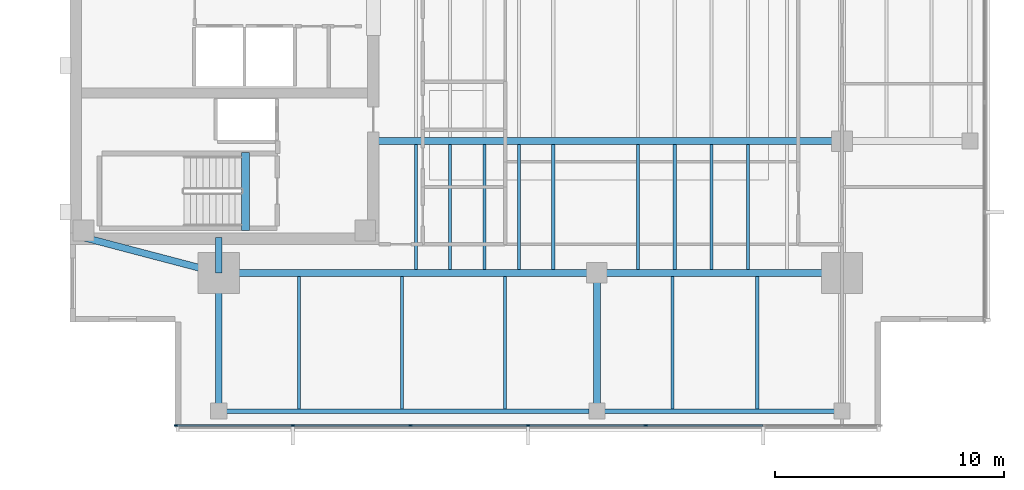
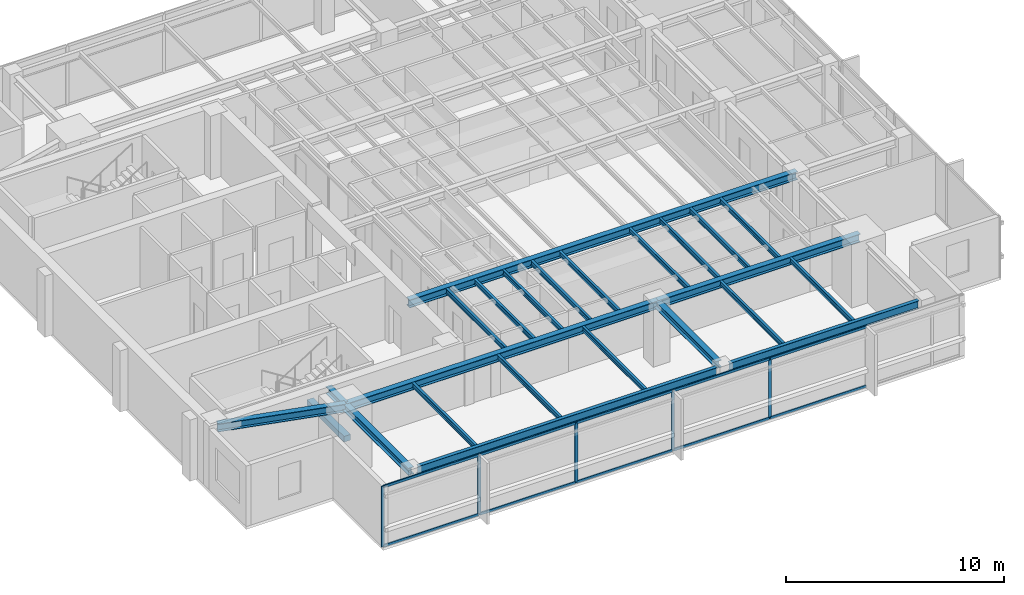
# One storey, part 2 of 13: 24 beams, 15 members, 1 element without a shape of its own.
"""IFC4 building model written with IfcOpenShell, lengths in metres."""

import ifcopenshell
import ifcopenshell.guid

model = None  # the IFC model being written
_history = None  # IfcOwnerHistory: only IFC2X3 demands one
_inside = {}  # id of a spatial element -> (the spatial element, [elements in it])
_under = {}  # id of a project, library or spatial element -> (it, [spatial elements below it])
_declared = {}  # id of a project -> (the project, [libraries it declares])
_typed = {}  # id of a type object -> (the type object, [elements of that type])
_made_of = {}  # id of a material, layer set ... -> (it, [elements and type objects made of it])


def new_model(schema):
    """Start an empty IFC model of exactly this schema.

    Asked for "IFC4X3", IfcOpenShell would pick the latest addendum, in which some entities
    have other attributes; the version numbers below select the first issue.
    IFC2X3 requires an IfcOwnerHistory on every rooted entity: one is made here for all.
    """
    global model, _history
    if schema == "IFC4X3":
        model = ifcopenshell.file(schema_version=(4, 3, 0, 0))
    else:
        model = ifcopenshell.file(schema=schema)
    _inside.clear()
    _under.clear()
    _declared.clear()
    _typed.clear()
    _made_of.clear()
    _history = None
    if model.schema == "IFC2X3":
        org = make("IfcOrganization", Name="unknown")
        user = make(
            "IfcPersonAndOrganization",
            ThePerson=make("IfcPerson", FamilyName="unknown"),
            TheOrganization=org,
        )
        app = make(
            "IfcApplication",
            ApplicationDeveloper=org,
            Version="unknown",
            ApplicationFullName="unknown",
            ApplicationIdentifier="unknown",
        )
        _history = make(
            "IfcOwnerHistory",
            OwningUser=user,
            OwningApplication=app,
            ChangeAction="ADDED",
            CreationDate=0,
        )
    return model


def make(cls, **values):
    """One entity of the class cls with the attributes given. An attribute that is None is left unset."""
    return model.create_entity(
        cls, **{name: value for name, value in values.items() if value is not None}
    )


def rooted(cls, **values):
    """An entity with a GlobalId (a new one), such as an element, a storey or a relation."""
    return make(cls, GlobalId=ifcopenshell.guid.new(), OwnerHistory=_history, **values)


def si_unit(unit_type, name, prefix=None):
    """IfcSIUnit, for example si_unit("LENGTHUNIT", "METRE", prefix="MILLI")."""
    return make("IfcSIUnit", UnitType=unit_type, Prefix=prefix, Name=name)


def assignment(units):
    """IfcUnitAssignment: the units of a project."""
    return None if units is None else make("IfcUnitAssignment", Units=units)


def point(xyz):
    """IfcCartesianPoint."""
    return None if xyz is None else make("IfcCartesianPoint", Coordinates=xyz)


def direction(xyz):
    """IfcDirection."""
    return None if xyz is None else make("IfcDirection", DirectionRatios=xyz)


def frame(location, z_axis=None, x_axis=None):
    """IfcAxis2Placement3D, a coordinate frame: its origin and axes. An axis left out is left unset."""
    return make(
        "IfcAxis2Placement3D",
        Location=point(location),
        Axis=direction(z_axis),
        RefDirection=direction(x_axis),
    )


def frame_2d(location, x_axis=None):
    """IfcAxis2Placement2D, a coordinate frame in the plane: its origin and x axis."""
    return make(
        "IfcAxis2Placement2D", Location=point(location), RefDirection=direction(x_axis)
    )


def origin():
    """The frame at (0, 0, 0) with its axes left unset."""
    return frame((0.0, 0.0, 0.0))


def origin_2d():
    """The frame at (0, 0) in the plane with its x axis left unset."""
    return frame_2d((0.0, 0.0))


def place(relative_to, where):
    """IfcLocalPlacement: puts the frame where relative to a parent placement (None: the world)."""
    return make(
        "IfcLocalPlacement", PlacementRelTo=relative_to, RelativePlacement=where
    )


def context(
    kind, dimensions, precision=None, world=None, true_north=None, identifier=None
):
    """IfcGeometricRepresentationContext, for example the 3D "Model" context."""
    return make(
        "IfcGeometricRepresentationContext",
        ContextIdentifier=identifier,
        ContextType=kind,
        CoordinateSpaceDimension=dimensions,
        Precision=precision,
        WorldCoordinateSystem=world,
        TrueNorth=true_north,
    )


def subcontext(parent, identifier, kind, view, scale=None):
    """IfcGeometricRepresentationSubContext, for example "Body" below "Model"."""
    return make(
        "IfcGeometricRepresentationSubContext",
        ContextIdentifier=identifier,
        ContextType=kind,
        ParentContext=parent,
        TargetScale=scale,
        TargetView=view,
    )


def project(units=None, contexts=None):
    """IfcProject with its units and contexts."""
    return rooted(
        "IfcProject",
        Name="project",
        RepresentationContexts=contexts,
        UnitsInContext=assignment(units),
    )


def spatial(cls, under=None, at=None, **own):
    """A site, building, storey or space (cls), placed at a placement, below another one or the project."""
    s = rooted(cls, ObjectPlacement=at, **own)
    if under is not None:
        _under.setdefault(under.id(), (under, []))[1].append(s)
    return s


def profile(cls, at=None, kind="AREA", **sizes):
    """A parametric profile (cls). Its sizes go by their IFC names, for example OverallWidth=200.0."""
    return make(cls, ProfileType=kind, Position=at, **sizes)


def rectangle(**sizes):
    """IfcRectangleProfileDef."""
    return profile("IfcRectangleProfileDef", **sizes)


def i_section(**sizes):
    """IfcIShapeProfileDef."""
    return profile("IfcIShapeProfileDef", **sizes)


def extrude(swept, where, along, depth):
    """IfcExtrudedAreaSolid: the profile swept, set in the frame where, extruded along a direction by depth."""
    return make(
        "IfcExtrudedAreaSolid",
        SweptArea=swept,
        Position=where,
        ExtrudedDirection=direction(along),
        Depth=depth,
    )


def shape(context_of_items, identifier, shape_type, items):
    """IfcShapeRepresentation: the items that make up one representation, for example the "Body"."""
    return make(
        "IfcShapeRepresentation",
        ContextOfItems=context_of_items,
        RepresentationIdentifier=identifier,
        RepresentationType=shape_type,
        Items=items,
    )


def material(Name=None, Category=None):
    """IfcMaterial."""
    return make("IfcMaterial", Name=Name, Category=Category)


def layer(
    of_material, thickness, ventilated=None, Name=None, Category=None, Priority=None
):
    """IfcMaterialLayer: one layer of a wall or slab, of a material (None: an air gap)."""
    return make(
        "IfcMaterialLayer",
        Material=of_material,
        LayerThickness=thickness,
        IsVentilated=ventilated,
        Name=Name,
        Category=Category,
        Priority=Priority,
    )


def layer_set(layers, Name=None):
    """IfcMaterialLayerSet."""
    return make("IfcMaterialLayerSet", MaterialLayers=layers, LayerSetName=Name)


def material_profile(
    of_material, cross_section, Name=None, Category=None, Priority=None
):
    """IfcMaterialProfile: a cross section and its material."""
    return make(
        "IfcMaterialProfile",
        Name=Name,
        Material=of_material,
        Profile=cross_section,
        Priority=Priority,
        Category=Category,
    )


def profile_set(profiles, Name=None, composite=None):
    """IfcMaterialProfileSet."""
    return make(
        "IfcMaterialProfileSet",
        Name=Name,
        MaterialProfiles=profiles,
        CompositeProfile=composite,
    )


def made_of(thing, what):
    """Note that an element or type object is made of a material, layer set ...; save() writes the relation."""
    if what is not None:
        _made_of.setdefault(what.id(), (what, []))[1].append(thing)
    return thing


def type_object(cls, material=None, **own):
    """A type object (cls), such as IfcWallType, which elements share."""
    return made_of(rooted(cls, **own), material)


def element(
    cls,
    number,
    at=None,
    inside=None,
    cuts=None,
    type_object=None,
    material=None,
    context=None,
    identifier="Body",
    shape_type=None,
    held_by="IfcProductDefinitionShape",
    body=None,
    shapes=None,
    **own,
):
    """One element of the class cls, such as IfcWall. Its Tag is "e" and its number.

    at: its placement. inside: the storey or other place that contains it. cuts: it is an
    opening in that element (IfcRelVoidsElement). A single representation is given by context,
    identifier, shape_type and body (its items); several are given by shapes. held_by: the class
    of the entity that holds the representations. save() writes the other relations.
    """
    e = rooted(cls, Tag="e%d" % number, ObjectPlacement=at, **own)
    if body is not None:
        shapes = [shape(context, identifier, shape_type, body)]
    if shapes is not None:
        e.Representation = make(held_by, Representations=shapes)
    if inside is not None:
        _inside.setdefault(inside.id(), (inside, []))[1].append(e)
    if cuts is not None:
        rooted(
            "IfcRelVoidsElement", RelatingBuildingElement=cuts, RelatedOpeningElement=e
        )
    if type_object is not None:
        _typed.setdefault(type_object.id(), (type_object, []))[1].append(e)
    return made_of(e, material)


def aggregate(whole, parts):
    """IfcRelAggregates: a whole, such as a stair, and the parts it consists of."""
    return rooted("IfcRelAggregates", RelatingObject=whole, RelatedObjects=parts)


def save(model, path):
    """Write the relations noted so far, then the file.

    IfcRelAggregates (storeys below a building ...), IfcRelContainedInSpatialStructure (elements
    in a storey), IfcRelDefinesByType, IfcRelAssociatesMaterial and IfcRelDeclares: one each for
    every whole, place, type object, material and project.
    """
    for whole, parts in _under.values():
        aggregate(whole, parts)
    for where, things in _inside.values():
        rooted(
            "IfcRelContainedInSpatialStructure",
            RelatedElements=things,
            RelatingStructure=where,
        )
    for kind, things in _typed.values():
        rooted("IfcRelDefinesByType", RelatedObjects=things, RelatingType=kind)
    for what, things in _made_of.values():
        rooted("IfcRelAssociatesMaterial", RelatedObjects=things, RelatingMaterial=what)
    for by, libraries in _declared.values():
        rooted("IfcRelDeclares", RelatingContext=by, RelatedDefinitions=libraries)
    model.write(path)


model = new_model("IFC4")

# Units and contexts
model_context = context("Model", 3, precision=1e-05, world=origin(), true_north=direction((0.0, 1.0)))
body_context = subcontext(model_context, "Body", "Model", "MODEL_VIEW")
ifc_project = project(units=[si_unit("LENGTHUNIT", "METRE"), si_unit("AREAUNIT", "SQUARE_METRE"), si_unit("VOLUMEUNIT", "CUBIC_METRE"), si_unit("PLANEANGLEUNIT", "RADIAN"), si_unit("MASSUNIT", "GRAM", prefix="KILO")], contexts=[model_context])

# Site, building, storey
site_placement = place(None, origin())
site = spatial("IfcSite", under=ifc_project, at=site_placement, CompositionType="ELEMENT")
building_placement = place(site_placement, origin())
building = spatial("IfcBuilding", under=site, at=building_placement, Name="Kinhvarn Gate Tower", CompositionType="ELEMENT")
storey_placement = place(building_placement, frame((0.0, 0.0, 288.300048828125)))
storey = spatial("IfcBuildingStorey", under=building, at=storey_placement, Name="L77", CompositionType="ELEMENT", Elevation=288.300048828125)

# Beam
ifc_material_1 = material(Name="Concrete C50/60", Category="concrete")
ifc_material_profile_1 = material_profile(ifc_material_1, rectangle(XDim=0.340087890625, YDim=0.320068359375, at=origin_2d()), Name="RC 340x320")
ifc_profile_set_1 = profile_set([ifc_material_profile_1], Name="Concrete C50/60")
beam_type_1 = type_object("IfcBeamType", Name="BM-LND-500", PredefinedType="BEAM", material=ifc_profile_set_1)
beam_1_placement = place(storey_placement, frame((12.1650390625, 14.60009765625, -0.16015625), z_axis=(0.0, 1.0, 0.0), x_axis=(-1.0, 0.0, 0.0)))
element("IfcBeam", 1, at=beam_1_placement, inside=storey, type_object=beam_type_1, Name="Stair ST1 Landing Nosing Beam (L77)", PredefinedType="BEAM", context=body_context, shape_type="SweptSolid", body=[
    extrude(rectangle(XDim=0.340087890625, YDim=0.320068359375, at=origin_2d()), origin(), (0.0, 0.0, 1.0), 3.39990234375),
])

# Curtain wall, members
ifc_material_2 = material(Name="Anodised aluminium AW-6063", Category="aluminium")
ifc_layer = layer(ifc_material_2, 0.179931640625)
ifc_layer_set = layer_set([ifc_layer], Name="Anodised aluminium AW-6063")
curtain_wall_type = type_object("IfcCurtainWallType", Name="CW-SYS-3", PredefinedType="NOTDEFINED", material=ifc_layer_set)
curtain_wall_placement = place(storey_placement, origin())
curtain_wall = element("IfcCurtainWall", 2, at=curtain_wall_placement, inside=storey, type_object=curtain_wall_type, Name="Curtain Wall CW3 (L77)", PredefinedType="NOTDEFINED")
ifc_material_profile_2 = material_profile(ifc_material_2, rectangle(XDim=0.06494140625, YDim=0.159912109375, at=origin_2d()), Name="ALU 65x160")
ifc_profile_set_2 = profile_set([ifc_material_profile_2], Name="Anodised aluminium AW-6063")
member_type_1 = type_object("IfcMemberType", Name="CW-MUL-160", PredefinedType="MULLION", material=ifc_profile_set_2)
member_1_placement = place(storey_placement, frame((9.132568359375, 6.090087890625, 0.0), z_axis=(0.0, 0.0, 1.0), x_axis=(0.0, 1.0, 0.0)))
member_1 = element("IfcMember", 3, at=member_1_placement, type_object=member_type_1, Name="CW3 mullion 1", PredefinedType="MULLION", context=body_context, shape_type="SweptSolid", body=[
    extrude(rectangle(XDim=0.06494140625, YDim=0.159912109375, at=origin_2d()), origin(), (0.0, 0.0, 1.0), 3.389892578125),
])
member_2_placement = place(storey_placement, frame((14.2333984375, 6.090087890625, 0.0), z_axis=(0.0, 0.0, 1.0), x_axis=(0.0, 1.0, 0.0)))
member_2 = element("IfcMember", 4, at=member_2_placement, type_object=member_type_1, Name="CW3 mullion 2", PredefinedType="MULLION", context=body_context, shape_type="SweptSolid", body=[
    extrude(rectangle(XDim=0.06494140625, YDim=0.159912109375, at=origin_2d()), origin(), (0.0, 0.0, 1.0), 3.389892578125),
])
member_3_placement = place(storey_placement, frame((19.36669921875, 6.090087890625, 0.0), z_axis=(0.0, 0.0, 1.0), x_axis=(0.0, 1.0, 0.0)))
member_3 = element("IfcMember", 5, at=member_3_placement, type_object=member_type_1, Name="CW3 mullion 3", PredefinedType="MULLION", context=body_context, shape_type="SweptSolid", body=[
    extrude(rectangle(XDim=0.06494140625, YDim=0.159912109375, at=origin_2d()), origin(), (0.0, 0.0, 1.0), 3.389892578125),
])
member_4_placement = place(storey_placement, frame((24.5, 6.090087890625, 0.0), z_axis=(0.0, 0.0, 1.0), x_axis=(0.0, 1.0, 0.0)))
member_4 = element("IfcMember", 6, at=member_4_placement, type_object=member_type_1, Name="CW3 mullion 4", PredefinedType="MULLION", context=body_context, shape_type="SweptSolid", body=[
    extrude(rectangle(XDim=0.06494140625, YDim=0.159912109375, at=origin_2d()), origin(), (0.0, 0.0, 1.0), 3.389892578125),
])
member_5_placement = place(storey_placement, frame((29.63330078125, 6.090087890625, 0.0), z_axis=(0.0, 0.0, 1.0), x_axis=(0.0, 1.0, 0.0)))
member_5 = element("IfcMember", 7, at=member_5_placement, type_object=member_type_1, Name="CW3 mullion 5", PredefinedType="MULLION", context=body_context, shape_type="SweptSolid", body=[
    extrude(rectangle(XDim=0.06494140625, YDim=0.159912109375, at=origin_2d()), origin(), (0.0, 0.0, 1.0), 3.389892578125),
])
ifc_material_profile_3 = material_profile(ifc_material_2, rectangle(XDim=0.070068359375, YDim=0.139892578125, at=origin_2d()), Name="ALU 70x140")
ifc_profile_set_3 = profile_set([ifc_material_profile_3], Name="Anodised aluminium AW-6063")
member_type_2 = type_object("IfcMemberType", Name="CW-TRN-140", PredefinedType="USERDEFINED", material=ifc_profile_set_3)
member_6_placement = place(storey_placement, frame((9.1650390625, 6.090087890625, 0.034912109375), z_axis=(1.0, 0.0, 0.0), x_axis=(0.0, 1.0, 0.0)))
member_6 = element("IfcMember", 8, at=member_6_placement, type_object=member_type_2, Name="CW3 transom 1.1", ObjectType="TRANSOM", PredefinedType="USERDEFINED", context=body_context, shape_type="SweptSolid", body=[
    extrude(rectangle(XDim=0.070068359375, YDim=0.139892578125, at=origin_2d()), origin(), (0.0, 0.0, 1.0), 5.035888671875),
])
member_7_placement = place(storey_placement, frame((9.1650390625, 6.090087890625, 3.35498046875), z_axis=(1.0, 0.0, 0.0), x_axis=(0.0, 1.0, 0.0)))
member_7 = element("IfcMember", 9, at=member_7_placement, type_object=member_type_2, Name="CW3 transom 1.2", ObjectType="TRANSOM", PredefinedType="USERDEFINED", context=body_context, shape_type="SweptSolid", body=[
    extrude(rectangle(XDim=0.070068359375, YDim=0.139892578125, at=origin_2d()), origin(), (0.0, 0.0, 1.0), 5.035888671875),
])
member_8_placement = place(storey_placement, frame((14.265869140625, 6.090087890625, 0.034912109375), z_axis=(1.0, 0.0, 0.0), x_axis=(0.0, 1.0, 0.0)))
member_8 = element("IfcMember", 10, at=member_8_placement, type_object=member_type_2, Name="CW3 transom 2.1", ObjectType="TRANSOM", PredefinedType="USERDEFINED", context=body_context, shape_type="SweptSolid", body=[
    extrude(rectangle(XDim=0.070068359375, YDim=0.139892578125, at=origin_2d()), origin(), (0.0, 0.0, 1.0), 5.068359375),
])
member_9_placement = place(storey_placement, frame((14.265869140625, 6.090087890625, 3.35498046875), z_axis=(1.0, 0.0, 0.0), x_axis=(0.0, 1.0, 0.0)))
member_9 = element("IfcMember", 11, at=member_9_placement, type_object=member_type_2, Name="CW3 transom 2.2", ObjectType="TRANSOM", PredefinedType="USERDEFINED", context=body_context, shape_type="SweptSolid", body=[
    extrude(rectangle(XDim=0.070068359375, YDim=0.139892578125, at=origin_2d()), origin(), (0.0, 0.0, 1.0), 5.068359375),
])
member_10_placement = place(storey_placement, frame((19.399169921875, 6.090087890625, 0.034912109375), z_axis=(1.0, 0.0, 0.0), x_axis=(0.0, 1.0, 0.0)))
member_10 = element("IfcMember", 12, at=member_10_placement, type_object=member_type_2, Name="CW3 transom 3.1", ObjectType="TRANSOM", PredefinedType="USERDEFINED", context=body_context, shape_type="SweptSolid", body=[
    extrude(rectangle(XDim=0.070068359375, YDim=0.139892578125, at=origin_2d()), origin(), (0.0, 0.0, 1.0), 5.068359375),
])
member_11_placement = place(storey_placement, frame((19.399169921875, 6.090087890625, 3.35498046875), z_axis=(1.0, 0.0, 0.0), x_axis=(0.0, 1.0, 0.0)))
member_11 = element("IfcMember", 13, at=member_11_placement, type_object=member_type_2, Name="CW3 transom 3.2", ObjectType="TRANSOM", PredefinedType="USERDEFINED", context=body_context, shape_type="SweptSolid", body=[
    extrude(rectangle(XDim=0.070068359375, YDim=0.139892578125, at=origin_2d()), origin(), (0.0, 0.0, 1.0), 5.068359375),
])
member_12_placement = place(storey_placement, frame((24.532470703125, 6.090087890625, 0.034912109375), z_axis=(1.0, 0.0, 0.0), x_axis=(0.0, 1.0, 0.0)))
member_12 = element("IfcMember", 14, at=member_12_placement, type_object=member_type_2, Name="CW3 transom 4.1", ObjectType="TRANSOM", PredefinedType="USERDEFINED", context=body_context, shape_type="SweptSolid", body=[
    extrude(rectangle(XDim=0.070068359375, YDim=0.139892578125, at=origin_2d()), origin(), (0.0, 0.0, 1.0), 5.068359375),
])
member_13_placement = place(storey_placement, frame((24.532470703125, 6.090087890625, 3.35498046875), z_axis=(1.0, 0.0, 0.0), x_axis=(0.0, 1.0, 0.0)))
member_13 = element("IfcMember", 15, at=member_13_placement, type_object=member_type_2, Name="CW3 transom 4.2", ObjectType="TRANSOM", PredefinedType="USERDEFINED", context=body_context, shape_type="SweptSolid", body=[
    extrude(rectangle(XDim=0.070068359375, YDim=0.139892578125, at=origin_2d()), origin(), (0.0, 0.0, 1.0), 5.068359375),
])
member_14_placement = place(storey_placement, frame((29.665771484375, 6.090087890625, 0.034912109375), z_axis=(1.0, 0.0, 0.0), x_axis=(0.0, 1.0, 0.0)))
member_14 = element("IfcMember", 16, at=member_14_placement, type_object=member_type_2, Name="CW3 transom 5.1", ObjectType="TRANSOM", PredefinedType="USERDEFINED", context=body_context, shape_type="SweptSolid", body=[
    extrude(rectangle(XDim=0.070068359375, YDim=0.139892578125, at=origin_2d()), origin(), (0.0, 0.0, 1.0), 5.068359375),
])
member_15_placement = place(storey_placement, frame((29.665771484375, 6.090087890625, 3.35498046875), z_axis=(1.0, 0.0, 0.0), x_axis=(0.0, 1.0, 0.0)))
member_15 = element("IfcMember", 17, at=member_15_placement, type_object=member_type_2, Name="CW3 transom 5.2", ObjectType="TRANSOM", PredefinedType="USERDEFINED", context=body_context, shape_type="SweptSolid", body=[
    extrude(rectangle(XDim=0.070068359375, YDim=0.139892578125, at=origin_2d()), origin(), (0.0, 0.0, 1.0), 5.068359375),
])
aggregate(curtain_wall, [member_1, member_2, member_3, member_4, member_5, member_6, member_7, member_8, member_9, member_10, member_11, member_12, member_13, member_14, member_15])

# Beams
ifc_material_3 = material(Name="Steel S355", Category="steel")
ifc_material_profile_4 = material_profile(ifc_material_3, i_section(OverallWidth=0.300048828125, OverallDepth=0.39990234375, WebThickness=0.013427734375, FlangeThickness=0.02392578125, at=origin_2d()), Name="HEB 400")
ifc_profile_set_4 = profile_set([ifc_material_profile_4], Name="Steel S355")
beam_type_2 = type_object("IfcBeamType", Name="STL-HEB400", PredefinedType="BEAM", material=ifc_profile_set_4)
beam_2_placement = place(storey_placement, frame((11.0, 6.719970703125, 3.18994140625), z_axis=(0.0, 1.0, 0.0), x_axis=(-1.0, 0.0, 0.0)))
element("IfcBeam", 18, at=beam_2_placement, inside=storey, type_object=beam_type_2, Name="Floor Beam PG-12 (L77 MCW-S)", PredefinedType="BEAM", context=body_context, shape_type="SweptSolid", body=[
    extrude(i_section(OverallWidth=0.300048828125, OverallDepth=0.39990234375, WebThickness=0.013427734375, FlangeThickness=0.02392578125, at=origin_2d()), origin(), (0.0, 0.0, 1.0), 6.030029296875),
])
beam_3_placement = place(storey_placement, frame((11.0, 12.75, 3.18994140625), z_axis=(0.0, 1.0, 0.0), x_axis=(-1.0, 0.0, 0.0)))
element("IfcBeam", 19, at=beam_3_placement, inside=storey, type_object=beam_type_2, Name="Floor Beam PG-12 (L77 MCW-CS)", PredefinedType="BEAM", context=body_context, shape_type="SweptSolid", body=[
    extrude(i_section(OverallWidth=0.300048828125, OverallDepth=0.39990234375, WebThickness=0.013427734375, FlangeThickness=0.02392578125, at=origin_2d()), origin(), (0.0, 0.0, 1.0), 1.550048828125),
])
beam_4_placement = place(storey_placement, frame((27.5, 7.054931640625, 3.18994140625), z_axis=(0.0, 1.0, 0.0), x_axis=(-1.0, 0.0, 0.0)))
element("IfcBeam", 20, at=beam_4_placement, inside=storey, type_object=beam_type_2, Name="Floor Beam PG-12 (L77 SP27-S-TIE)", PredefinedType="BEAM", context=body_context, shape_type="SweptSolid", body=[
    extrude(i_section(OverallWidth=0.300048828125, OverallDepth=0.39990234375, WebThickness=0.013427734375, FlangeThickness=0.02392578125, at=origin_2d()), origin(), (0.0, 0.0, 1.0), 5.695068359375),
])
ifc_material_profile_5 = material_profile(ifc_material_3, i_section(OverallWidth=0.300048828125, OverallDepth=0.449951171875, WebThickness=0.013916015625, FlangeThickness=0.02587890625, at=origin_2d()), Name="HEB 450")
ifc_profile_set_5 = profile_set([ifc_material_profile_5], Name="Steel S355")
beam_type_3 = type_object("IfcBeamType", Name="STL-HEB450", PredefinedType="BEAM", material=ifc_profile_set_5)
beam_5_placement = place(storey_placement, frame((11.0, 12.75, 3.1650390625), z_axis=(1.0, 0.0, 0.0), x_axis=(0.0, 1.0, 0.0)))
element("IfcBeam", 21, at=beam_5_placement, inside=storey, type_object=beam_type_3, Name="Floor Beam PG-13 (L77 MG-S1)", PredefinedType="BEAM", context=body_context, shape_type="SweptSolid", body=[
    extrude(i_section(OverallWidth=0.300048828125, OverallDepth=0.449951171875, WebThickness=0.013916015625, FlangeThickness=0.02587890625, at=origin_2d()), origin(), (0.0, 0.0, 1.0), 16.5),
])
beam_6_placement = place(storey_placement, frame((27.5, 12.75, 3.1650390625), z_axis=(1.0, 0.0, 0.0), x_axis=(0.0, 1.0, 0.0)))
element("IfcBeam", 22, at=beam_6_placement, inside=storey, type_object=beam_type_3, Name="Floor Beam PG-13 (L77 MG-S2)", PredefinedType="BEAM", context=body_context, shape_type="SweptSolid", body=[
    extrude(i_section(OverallWidth=0.300048828125, OverallDepth=0.449951171875, WebThickness=0.013916015625, FlangeThickness=0.02587890625, at=origin_2d()), origin(), (0.0, 0.0, 1.0), 10.699951171875),
])
beam_7_placement = place(storey_placement, frame((5.10009765625, 14.300048828125, 3.1650390625), z_axis=(0.967177623957, -0.254101246979, 0.0), x_axis=(0.254101246979, 0.967177623957, 0.0)))
element("IfcBeam", 23, at=beam_7_placement, inside=storey, type_object=beam_type_3, Name="Floor Beam PG-13 (L77 MG-SW-DIAG)", PredefinedType="BEAM", context=body_context, shape_type="SweptSolid", body=[
    extrude(i_section(OverallWidth=0.300048828125, OverallDepth=0.449951171875, WebThickness=0.013916015625, FlangeThickness=0.02587890625, at=origin_2d()), origin(), (0.0, 0.0, 1.0), 6.10009765625),
])
beam_8_placement = place(storey_placement, frame((17.64990234375, 18.5, 3.1650390625), z_axis=(1.0, 0.0, 0.0), x_axis=(0.0, 1.0, 0.0)))
element("IfcBeam", 24, at=beam_8_placement, inside=storey, type_object=beam_type_3, Name="Floor Beam PG-13 (L77 EW1-Y18)", PredefinedType="BEAM", context=body_context, shape_type="SweptSolid", body=[
    extrude(i_section(OverallWidth=0.300048828125, OverallDepth=0.449951171875, WebThickness=0.013916015625, FlangeThickness=0.02587890625, at=origin_2d()), origin(), (0.0, 0.0, 1.0), 20.550048828125),
])
ifc_material_profile_6 = material_profile(ifc_material_3, i_section(OverallWidth=0.135009765625, OverallDepth=0.27001953125, WebThickness=0.006591796875, FlangeThickness=0.01025390625, at=origin_2d()), Name="IPE 270")
ifc_profile_set_6 = profile_set([ifc_material_profile_6], Name="Steel S355")
beam_type_4 = type_object("IfcBeamType", Name="STL-IPE270", PredefinedType="JOIST", material=ifc_profile_set_6)
for number, where, z_axis, x_axis, name in (
    (25, (19.60009765625, 12.89990234375, 3.2548828125), (0.0, 1.0, 0.0), (-1.0, 0.0, 0.0), "Floor Joist SB-01 (L77 JC-X196-0)"),
    (26, (21.10009765625, 12.89990234375, 3.2548828125), (0.0, 1.0, 0.0), (-1.0, 0.0, 0.0), "Floor Joist SB-01 (L77 JC-X211-0)"),
    (27, (22.60009765625, 12.89990234375, 3.2548828125), (0.0, 1.0, 0.0), (-1.0, 0.0, 0.0), "Floor Joist SB-01 (L77 JC-X226-0)"),
    (28, (24.10009765625, 12.89990234375, 3.2548828125), (0.0, 1.0, 0.0), (-1.0, 0.0, 0.0), "Floor Joist SB-01 (L77 JC-X241-0)"),
    (29, (25.60009765625, 12.89990234375, 3.2548828125), (0.0, 1.0, 0.0), (-1.0, 0.0, 0.0), "Floor Joist SB-01 (L77 JC-X256-0)"),
    (30, (29.300048828125, 12.89990234375, 3.2548828125), (0.0, 1.0, 0.0), (-1.0, 0.0, 0.0), "Floor Joist SB-01 (L77 JC-X293-0)"),
    (31, (30.89990234375, 12.89990234375, 3.2548828125), (0.0, 1.0, 0.0), (-1.0, 0.0, 0.0), "Floor Joist SB-01 (L77 JC-X309-0)"),
    (32, (32.5, 12.89990234375, 3.2548828125), (0.0, 1.0, 0.0), (-1.0, 0.0, 0.0), "Floor Joist SB-01 (L77 JC-X325-0)"),
    (33, (34.10009765625, 12.89990234375, 3.2548828125), (0.0, 1.0, 0.0), (-1.0, 0.0, 0.0), "Floor Joist SB-01 (L77 JC-X341-0)"),
):
    element("IfcBeam", number, at=place(storey_placement, frame(where, z_axis=z_axis, x_axis=x_axis)), inside=storey, type_object=beam_type_4, Name=name, PredefinedType="JOIST", context=body_context, shape_type="SweptSolid", body=[
        extrude(i_section(OverallWidth=0.135009765625, OverallDepth=0.27001953125, WebThickness=0.006591796875, FlangeThickness=0.01025390625, at=origin_2d()), origin(), (0.0, 0.0, 1.0), 5.4501953125),
    ])
for number, where, z_axis, x_axis, name in (
    (34, (14.5, 6.81494140625, 3.2548828125), (0.0, 1.0, 0.0), (-1.0, 0.0, 0.0), "Floor Joist SB-01 (L77 JS-X145)"),
    (35, (19.0, 6.81494140625, 3.2548828125), (0.0, 1.0, 0.0), (-1.0, 0.0, 0.0), "Floor Joist SB-01 (L77 JS-X190)"),
    (36, (23.5, 6.81494140625, 3.2548828125), (0.0, 1.0, 0.0), (-1.0, 0.0, 0.0), "Floor Joist SB-01 (L77 JS-X235)"),
    (37, (30.800048828125, 6.81494140625, 3.2548828125), (0.0, 1.0, 0.0), (-1.0, 0.0, 0.0), "Floor Joist SB-01 (L77 JS-X308)"),
    (38, (34.5, 6.81494140625, 3.2548828125), (0.0, 1.0, 0.0), (-1.0, 0.0, 0.0), "Floor Joist SB-01 (L77 JS-X345)"),
):
    element("IfcBeam", number, at=place(storey_placement, frame(where, z_axis=z_axis, x_axis=x_axis)), inside=storey, type_object=beam_type_4, Name=name, PredefinedType="JOIST", context=body_context, shape_type="SweptSolid", body=[
        extrude(i_section(OverallWidth=0.135009765625, OverallDepth=0.27001953125, WebThickness=0.006591796875, FlangeThickness=0.01025390625, at=origin_2d()), origin(), (0.0, 0.0, 1.0), 5.78515625),
    ])
ifc_material_profile_7 = material_profile(ifc_material_3, i_section(OverallWidth=0.18994140625, OverallDepth=0.449951171875, WebThickness=0.009521484375, FlangeThickness=0.0146484375, at=origin_2d()), Name="IPE 450")
ifc_profile_set_7 = profile_set([ifc_material_profile_7], Name="Steel S355")
beam_type_5 = type_object("IfcBeamType", Name="STL-IPE450", PredefinedType="JOIST", material=ifc_profile_set_7)
beam_9_placement = place(storey_placement, frame((11.3349609375, 6.719970703125, 3.1650390625), z_axis=(1.0, 0.0, 0.0), x_axis=(0.0, 1.0, 0.0)))
element("IfcBeam", 39, at=beam_9_placement, inside=storey, type_object=beam_type_5, Name="Floor Joist SB-06 (L77 SP-S1)", PredefinedType="JOIST", context=body_context, shape_type="SweptSolid", body=[
    extrude(i_section(OverallWidth=0.18994140625, OverallDepth=0.449951171875, WebThickness=0.009521484375, FlangeThickness=0.0146484375, at=origin_2d()), origin(), (0.0, 0.0, 1.0), 15.830078125),
])
beam_10_placement = place(storey_placement, frame((27.8349609375, 6.719970703125, 3.1650390625), z_axis=(1.0, 0.0, 0.0), x_axis=(0.0, 1.0, 0.0)))
element("IfcBeam", 40, at=beam_10_placement, inside=storey, type_object=beam_type_5, Name="Floor Joist SB-06 (L77 SP-S2)", PredefinedType="JOIST", context=body_context, shape_type="SweptSolid", body=[
    extrude(i_section(OverallWidth=0.18994140625, OverallDepth=0.449951171875, WebThickness=0.009521484375, FlangeThickness=0.0146484375, at=origin_2d()), origin(), (0.0, 0.0, 1.0), 10.030029296875),
])

save(model, "model.ifc")
